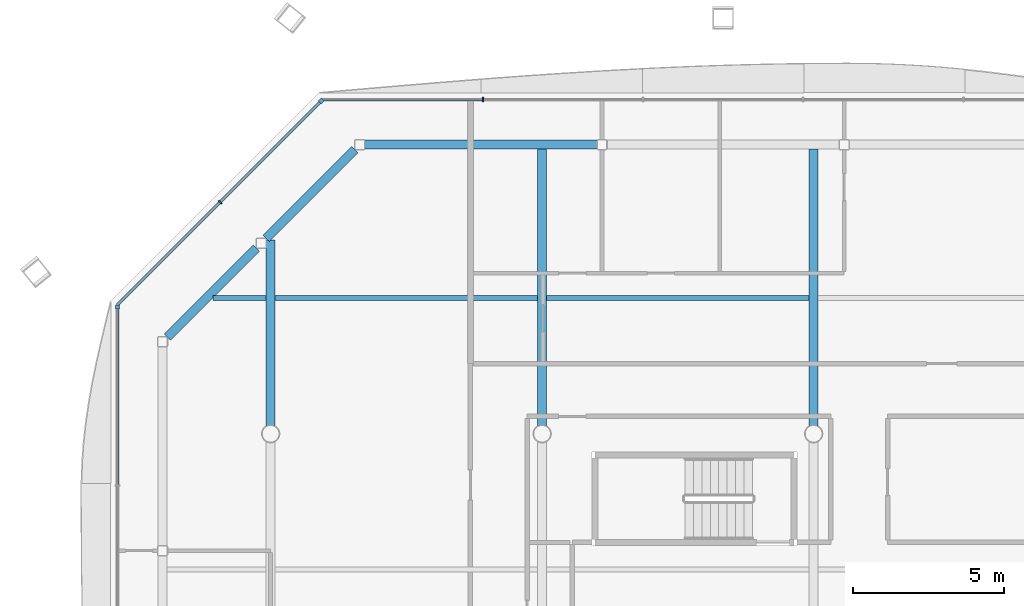
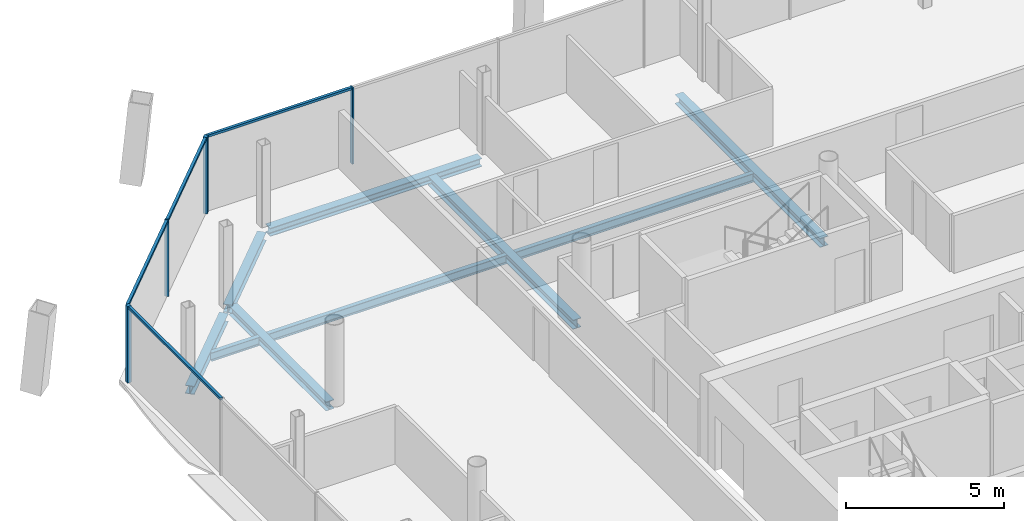
# One storey, part 10 of 20: 9 beams, 8 members, 3 elements without a shape of their own.
"""IFC4 building model written with IfcOpenShell, lengths in metres."""

from ifc_helpers import new_model, si_unit, direction, frame, origin, origin_2d, place, context, subcontext, project, spatial, rectangle, i_section, extrude, material, material_profile, profile_set, type_object, element, aggregate, save


model = new_model("IFC4")

# Units and contexts
model_context = context("Model", 3, precision=1e-05, world=origin(), true_north=direction((0.0, 1.0)))
body_context = subcontext(model_context, "Body", "Model", "MODEL_VIEW")
ifc_project = project(units=[si_unit("LENGTHUNIT", "METRE"), si_unit("AREAUNIT", "SQUARE_METRE"), si_unit("VOLUMEUNIT", "CUBIC_METRE"), si_unit("PLANEANGLEUNIT", "RADIAN"), si_unit("MASSUNIT", "GRAM", prefix="KILO")], contexts=[model_context])

# Site, building, storey
site_placement = place(None, origin())
site = spatial("IfcSite", under=ifc_project, at=site_placement, CompositionType="ELEMENT")
building_placement = place(site_placement, origin())
building = spatial("IfcBuilding", under=site, at=building_placement, Name="Tskaro Facet Tower", CompositionType="ELEMENT")
storey_placement = place(building_placement, frame((0.0, 0.0, 197.39990234375)))
storey = spatial("IfcBuildingStorey", under=building, at=storey_placement, Name="L50", CompositionType="ELEMENT", Elevation=197.39990234375)

# Curtain wall, member
ifc_material_1 = material(Name="Bronze anodised aluminium 6063-T6", Category="aluminium")
curtain_wall_type = type_object("IfcCurtainWallType", Name="Bronze residence curtain wall (FW3)", PredefinedType="NOTDEFINED", material=ifc_material_1)
curtain_wall_1_placement = place(storey_placement, origin())
curtain_wall_1 = element("IfcCurtainWall", 1, at=curtain_wall_1_placement, inside=storey, type_object=curtain_wall_type, Name="FW3 north-west facet L50", PredefinedType="NOTDEFINED")
ifc_material_profile_1 = material_profile(ifc_material_1, rectangle(XDim=0.139892578125, YDim=0.139892578125, at=origin_2d()), Name="Corner post 140x140")
ifc_profile_set_1 = profile_set([ifc_material_profile_1], Name="Bronze anodised aluminium 6063-T6")
member_type_1 = type_object("IfcMemberType", Name="FW3 bronze corner post 140x140", PredefinedType="MULLION", material=ifc_profile_set_1)
member_1_placement = place(storey_placement, frame((-16.319580078125, 20.030517578125, 0.0), z_axis=(0.0, 0.0, 1.0), x_axis=(-0.707106781187, -0.707106781187, 0.0)))
member_1 = element("IfcMember", 2, at=member_1_placement, type_object=member_type_1, Name="FW3 north-west corner post", PredefinedType="MULLION", context=body_context, shape_type="SweptSolid", body=[
    extrude(rectangle(XDim=0.139892578125, YDim=0.139892578125, at=origin_2d()), origin(), (0.0, 0.0, 1.0), 2.9501953125),
])

curtain_wall_2_placement = place(storey_placement, origin())
curtain_wall_2 = element("IfcCurtainWall", 3, at=curtain_wall_2_placement, inside=storey, type_object=curtain_wall_type, Name="FW3 west facet L50", PredefinedType="NOTDEFINED")
member_2_placement = place(storey_placement, frame((-23.080078125, 13.199951171875, 0.0), z_axis=(0.0, 0.0, 1.0), x_axis=(0.0, -1.0, 0.0)))
member_2 = element("IfcMember", 4, at=member_2_placement, type_object=member_type_1, Name="FW3 west corner post", PredefinedType="MULLION", context=body_context, shape_type="SweptSolid", body=[
    extrude(rectangle(XDim=0.139892578125, YDim=0.139892578125, at=origin_2d()), origin(), (0.0, 0.0, 1.0), 2.9501953125),
])

curtain_wall_3_placement = place(storey_placement, origin())
curtain_wall_3 = element("IfcCurtainWall", 5, at=curtain_wall_3_placement, inside=storey, type_object=curtain_wall_type, Name="FW3 north facet L50", PredefinedType="NOTDEFINED")
ifc_material_profile_2 = material_profile(ifc_material_1, rectangle(XDim=0.050048828125, YDim=0.139892578125, at=origin_2d()), Name="Mullion 50x140")
ifc_profile_set_2 = profile_set([ifc_material_profile_2], Name="Bronze anodised aluminium 6063-T6")
member_type_2 = type_object("IfcMemberType", Name="FW3 bronze mullion 50x140", PredefinedType="MULLION", material=ifc_profile_set_2)
member_3_placement = place(storey_placement, frame((-10.9619140625, 20.080078125, 0.0), z_axis=(0.0, 0.0, 1.0), x_axis=(-1.0, 0.0, 0.0)))
member_3 = element("IfcMember", 6, at=member_3_placement, type_object=member_type_2, Name="FW3 north mullion 4", PredefinedType="MULLION", context=body_context, shape_type="SweptSolid", body=[
    extrude(rectangle(XDim=0.050048828125, YDim=0.139892578125, at=origin_2d()), origin(), (0.0, 0.0, 1.0), 2.9501953125),
])

# Member
member_4_placement = place(storey_placement, frame((-19.675048828125, 16.675048828125, 0.0), z_axis=(0.0, 0.0, 1.0), x_axis=(-0.707106781187, -0.707106781187, 0.0)))
member_4 = element("IfcMember", 7, at=member_4_placement, type_object=member_type_2, Name="FW3 north-west mullion 1", PredefinedType="MULLION", context=body_context, shape_type="SweptSolid", body=[
    extrude(rectangle(XDim=0.050048828125, YDim=0.139892578125, at=origin_2d()), origin(), (0.0, 0.0, 1.0), 2.9501953125),
])

ifc_material_profile_3 = material_profile(ifc_material_1, rectangle(XDim=0.10009765625, YDim=0.090087890625, at=origin_2d()), Name="Transom 100x90")
ifc_profile_set_3 = profile_set([ifc_material_profile_3], Name="Bronze anodised aluminium 6063-T6")
member_type_3 = type_object("IfcMemberType", Name="FW3 bronze transom 100x90", PredefinedType="USERDEFINED", material=ifc_profile_set_3)
member_5_placement = place(storey_placement, frame((-10.987060546875, 20.080078125, 2.905029296875), z_axis=(-1.0, 0.0, 0.0), x_axis=(0.0, -1.0, 0.0)))
member_5 = element("IfcMember", 8, at=member_5_placement, type_object=member_type_3, Name="FW3 north transom 5.1", ObjectType="TRANSOM", PredefinedType="USERDEFINED", context=body_context, shape_type="SweptSolid", body=[
    extrude(rectangle(XDim=0.10009765625, YDim=0.090087890625, at=origin_2d()), origin(), (0.0, 0.0, 1.0), 5.282958984375),
])

aggregate(curtain_wall_3, [member_3, member_5])

member_6_placement = place(storey_placement, frame((-16.368896484375, 19.98095703125, 2.905029296875), z_axis=(-0.707106781187, -0.707106781187, 0.0), x_axis=(0.707106781187, -0.707106781187, 0.0)))
member_6 = element("IfcMember", 9, at=member_6_placement, type_object=member_type_3, Name="FW3 north-west transom 1.1", ObjectType="TRANSOM", PredefinedType="USERDEFINED", context=body_context, shape_type="SweptSolid", body=[
    extrude(rectangle(XDim=0.10009765625, YDim=0.090087890625, at=origin_2d()), origin(), (0.0, 0.0, 1.0), 4.650390625),
])

member_7_placement = place(storey_placement, frame((-19.692626953125, 16.6572265625, 2.905029296875), z_axis=(-0.707132262971, -0.707081298484, 0.0), x_axis=(0.707081298484, -0.707132262971, 0.0)))
member_7 = element("IfcMember", 10, at=member_7_placement, type_object=member_type_3, Name="FW3 north-west transom 2.1", ObjectType="TRANSOM", PredefinedType="USERDEFINED", context=body_context, shape_type="SweptSolid", body=[
    extrude(rectangle(XDim=0.10009765625, YDim=0.090087890625, at=origin_2d()), origin(), (0.0, 0.0, 1.0), 4.79052734375),
])

aggregate(curtain_wall_1, [member_1, member_4, member_6, member_7])

member_8_placement = place(storey_placement, frame((-23.080078125, 13.1298828125, 2.905029296875), z_axis=(0.0, -1.0, 0.0), x_axis=(1.0, 0.0, 0.0)))
member_8 = element("IfcMember", 11, at=member_8_placement, type_object=member_type_3, Name="FW3 west transom 1.1", ObjectType="TRANSOM", PredefinedType="USERDEFINED", context=body_context, shape_type="SweptSolid", body=[
    extrude(rectangle(XDim=0.10009765625, YDim=0.090087890625, at=origin_2d()), origin(), (0.0, 0.0, 1.0), 5.8125),
])

aggregate(curtain_wall_2, [member_2, member_8])

# Beams
ifc_material_2 = material(Name="Steel S355J2", Category="steel")
ifc_material_profile_4 = material_profile(ifc_material_2, i_section(OverallWidth=0.300048828125, OverallDepth=0.320068359375, WebThickness=0.011474609375, FlangeThickness=0.0205078125, FilletRadius=0.027099609375, at=origin_2d()), Name="HE 320 B")
ifc_profile_set_4 = profile_set([ifc_material_profile_4], Name="Steel S355J2")
beam_type_1 = type_object("IfcBeamType", Name="HE 320 B ring beam", PredefinedType="BEAM", material=ifc_profile_set_4)
beam_1_placement = place(storey_placement, frame((-7.169921875, 18.5830078125, -0.2998046875), z_axis=(-1.0, 0.0, 0.0), x_axis=(0.0, -1.0, 0.0)))
element("IfcBeam", 12, at=beam_1_placement, inside=storey, type_object=beam_type_1, Name="HE 320 B EB14-4", PredefinedType="BEAM", context=body_context, shape_type="SweptSolid", body=[
    extrude(i_section(OverallWidth=0.300048828125, OverallDepth=0.320068359375, WebThickness=0.011474609375, FlangeThickness=0.0205078125, FilletRadius=0.027099609375, at=origin_2d()), origin(), (0.0, 0.0, 1.0), 7.72119140625),
])
for number, where, z_axis, x_axis, name in (
    (13, (-15.206787109375, 18.422119140625, -0.2998046875), (-0.706989603829, -0.70722393913, 0.0), (0.70722393913, -0.706989603829, 0.0), "HE 320 B EB15-4"),
    (14, (-18.474853515625, 15.153076171875, -0.2998046875), (-0.70722393913, -0.706989603829, 0.0), (0.706989603829, -0.70722393913, 0.0), "HE 320 B EB16-4"),
):
    element("IfcBeam", number, at=place(storey_placement, frame(where, z_axis=z_axis, x_axis=x_axis)), inside=storey, type_object=beam_type_1, Name=name, PredefinedType="BEAM", context=body_context, shape_type="SweptSolid", body=[
        extrude(i_section(OverallWidth=0.300048828125, OverallDepth=0.320068359375, WebThickness=0.011474609375, FlangeThickness=0.0205078125, FilletRadius=0.027099609375, at=origin_2d()), origin(), (0.0, 0.0, 1.0), 4.16748046875),
    ])
ifc_material_profile_5 = material_profile(ifc_material_2, i_section(OverallWidth=0.300048828125, OverallDepth=0.35009765625, WebThickness=0.010009765625, FlangeThickness=0.017578125, FilletRadius=0.027099609375, at=origin_2d()), Name="HE 360 A")
ifc_profile_set_5 = profile_set([ifc_material_profile_5], Name="Steel S355J2")
beam_type_2 = type_object("IfcBeamType", Name="HE 360 A girder", PredefinedType="BEAM", material=ifc_profile_set_5)
beam_2_placement = place(storey_placement, frame((-18.0, 9.27490234375, -0.31494140625), z_axis=(0.0, 1.0, 0.0), x_axis=(-1.0, 0.0, 0.0)))
element("IfcBeam", 15, at=beam_2_placement, inside=storey, type_object=beam_type_2, Name="HE 360 A GB2-4-4", PredefinedType="BEAM", context=body_context, shape_type="SweptSolid", body=[
    extrude(i_section(OverallWidth=0.300048828125, OverallDepth=0.35009765625, WebThickness=0.010009765625, FlangeThickness=0.017578125, FilletRadius=0.027099609375, at=origin_2d()), origin(), (0.0, 0.0, 1.0), 6.14208984375),
])
for number, where, z_axis, x_axis, name in (
    (16, (-9.0, 9.27490234375, -0.31494140625), (0.0, 1.0, 0.0), (-1.0, 0.0, 0.0), "HE 360 A GB3-3-4"),
    (17, (0.0, 9.27490234375, -0.31494140625), (0.0, 1.0, 0.0), (-1.0, 0.0, 0.0), "HE 360 A GB4-3-4"),
):
    element("IfcBeam", number, at=place(storey_placement, frame(where, z_axis=z_axis, x_axis=x_axis)), inside=storey, type_object=beam_type_2, Name=name, PredefinedType="BEAM", context=body_context, shape_type="SweptSolid", body=[
        extrude(i_section(OverallWidth=0.300048828125, OverallDepth=0.35009765625, WebThickness=0.010009765625, FlangeThickness=0.017578125, FilletRadius=0.027099609375, at=origin_2d()), origin(), (0.0, 0.0, 1.0), 9.158203125),
    ])
ifc_material_profile_6 = material_profile(ifc_material_2, i_section(OverallWidth=0.159912109375, OverallDepth=0.330078125, WebThickness=0.007568359375, FlangeThickness=0.011474609375, FilletRadius=0.01806640625, at=origin_2d()), Name="IPE 330")
ifc_profile_set_6 = profile_set([ifc_material_profile_6], Name="Steel S355J2")
beam_type_3 = type_object("IfcBeamType", Name="IPE 330 secondary beam", PredefinedType="BEAM", material=ifc_profile_set_6)
beam_3_placement = place(storey_placement, frame((-19.9169921875, 13.5, -0.304931640625), z_axis=(1.0, 0.0, 0.0), x_axis=(0.0, 1.0, 0.0)))
element("IfcBeam", 18, at=beam_3_placement, inside=storey, type_object=beam_type_3, Name="IPE 330 SB5a-1-4", PredefinedType="BEAM", context=body_context, shape_type="SweptSolid", body=[
    extrude(i_section(OverallWidth=0.159912109375, OverallDepth=0.330078125, WebThickness=0.007568359375, FlangeThickness=0.011474609375, FilletRadius=0.01806640625, at=origin_2d()), origin(), (0.0, 0.0, 1.0), 1.76708984375),
])
for number, where, z_axis, x_axis, name in (
    (19, (-17.85009765625, 13.5, -0.304931640625), (1.0, 0.0, 0.0), (0.0, 1.0, 0.0), "IPE 330 SB5a-2-4"),
    (20, (-8.85009765625, 13.5, -0.304931640625), (1.0, 0.0, 0.0), (0.0, 1.0, 0.0), "IPE 330 SB5a-3-4"),
):
    element("IfcBeam", number, at=place(storey_placement, frame(where, z_axis=z_axis, x_axis=x_axis)), inside=storey, type_object=beam_type_3, Name=name, PredefinedType="BEAM", context=body_context, shape_type="SweptSolid", body=[
        extrude(i_section(OverallWidth=0.159912109375, OverallDepth=0.330078125, WebThickness=0.007568359375, FlangeThickness=0.011474609375, FilletRadius=0.01806640625, at=origin_2d()), origin(), (0.0, 0.0, 1.0), 8.7001953125),
    ])

save(model, "model.ifc")
